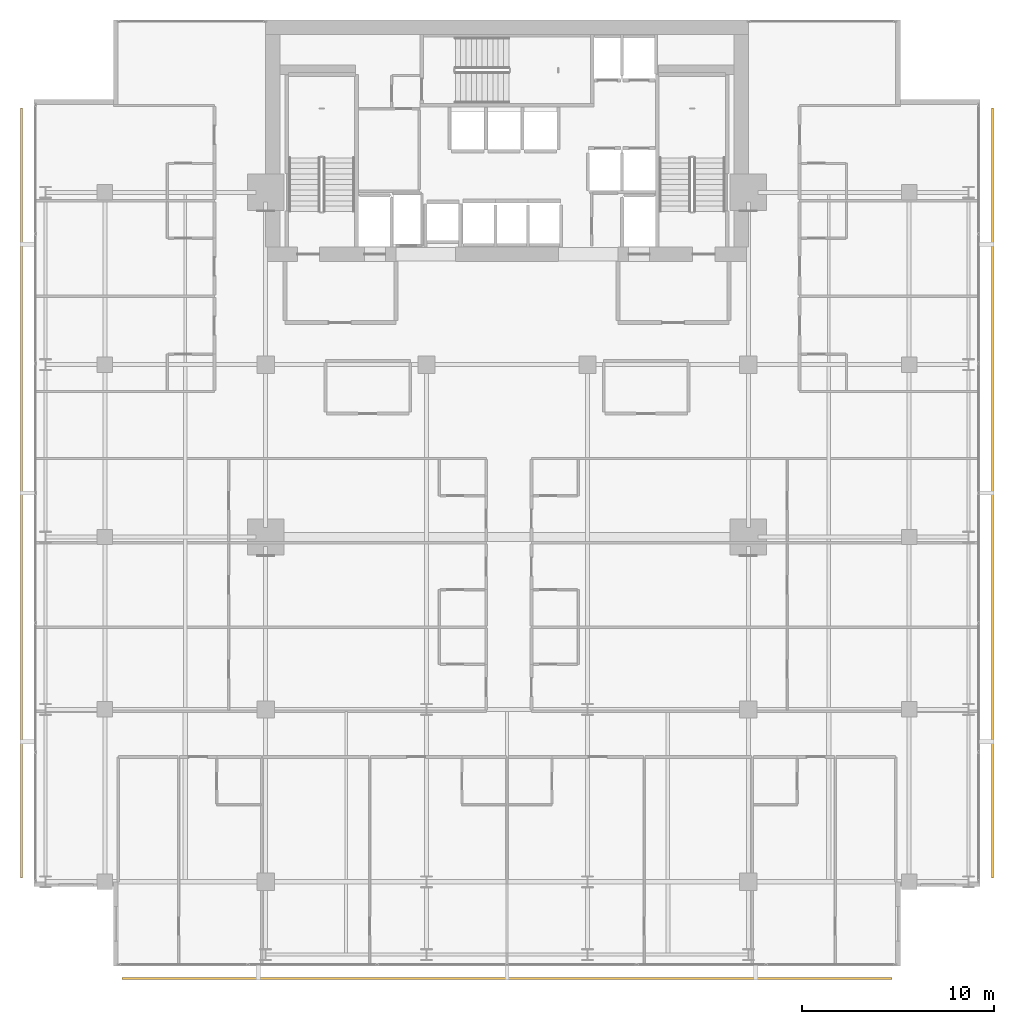
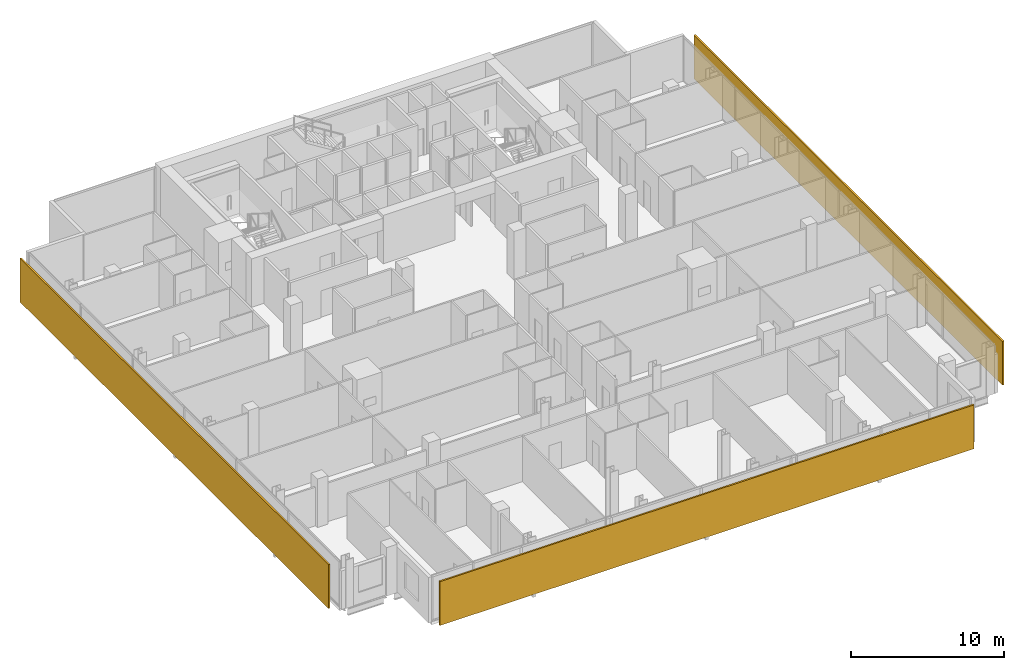
# One storey, part 33 of 34: 3 shading devices.
"""IFC4 building model written with IfcOpenShell, lengths in metres."""

from ifc_helpers import new_model, si_unit, direction, frame, origin, origin_2d, place, context, subcontext, project, spatial, rectangle, extrude, material, layer, layer_set, type_object, element, save


model = new_model("IFC4")

# Units and contexts
model_context = context("Model", 3, precision=1e-05, world=origin(), true_north=direction((0.0, 1.0)))
body_context = subcontext(model_context, "Body", "Model", "MODEL_VIEW")
ifc_project = project(units=[si_unit("LENGTHUNIT", "METRE"), si_unit("AREAUNIT", "SQUARE_METRE"), si_unit("VOLUMEUNIT", "CUBIC_METRE"), si_unit("PLANEANGLEUNIT", "RADIAN"), si_unit("MASSUNIT", "GRAM", prefix="KILO")], contexts=[model_context])

# Site, building, storey
site_placement = place(None, origin())
site = spatial("IfcSite", under=ifc_project, at=site_placement, CompositionType="ELEMENT")
building_placement = place(site_placement, origin())
building = spatial("IfcBuilding", under=site, at=building_placement, Name="Maruvema Waterfront Hotel and Observation Tower", CompositionType="ELEMENT")
storey_placement = place(building_placement, frame((0.0, 0.0, 212.10009765625)))
storey = spatial("IfcBuildingStorey", under=building, at=storey_placement, Name="L52", CompositionType="ELEMENT", Elevation=212.10009765625)

# Shading devices
ifc_material = material(Name="Honed travertine stone and anodised architectural bronze", Category="masonry")
ifc_layer = layer(ifc_material, 0.1201171875, Name="Ventilated Outer Skin Cobogo Stone-and-Bronze Screen 120 mm")
ifc_layer_set = layer_set([ifc_layer], Name="Honed travertine stone and anodised architectural bronze")
shading_device_type = type_object("IfcShadingDeviceType", Name="Ventilated Outer Skin Cobogo Stone-and-Bronze Screen 120 mm", PredefinedType="USERDEFINED", material=ifc_layer_set)
for number, where, z_axis, x_axis, name in (
    (1, (37.800048828125, 3.949951171875, 0.06005859375), (0.0, 0.0, 1.0), (1.0, 0.0, 0.0), "L52 Ventilated Double-Skin Outer Cobogo Screen OS-L52-S"),
    (2, (63.14990234375, 29.300048828125, 0.06005859375), (0.0, 0.0, 1.0), (0.0, 1.0, 0.0), "L52 Ventilated Double-Skin Outer Cobogo Screen OS-L52-E"),
    (3, (12.449951171875, 29.300048828125, 0.06005859375), (0.0, 0.0, 1.0), (0.0, -1.0, 0.0), "L52 Ventilated Double-Skin Outer Cobogo Screen OS-L52-W"),
):
    element("IfcShadingDevice", number, at=place(storey_placement, frame(where, z_axis=z_axis, x_axis=x_axis)), inside=storey, type_object=shading_device_type, Name=name, ObjectType="OUTER SKIN SCREEN", PredefinedType="USERDEFINED", context=body_context, shape_type="SweptSolid", body=[
        extrude(rectangle(XDim=40.199951171875, YDim=0.1201171875, at=origin_2d()), origin(), (0.0, 0.0, 1.0), 3.489990234375),
    ])

save(model, "model.ifc")
